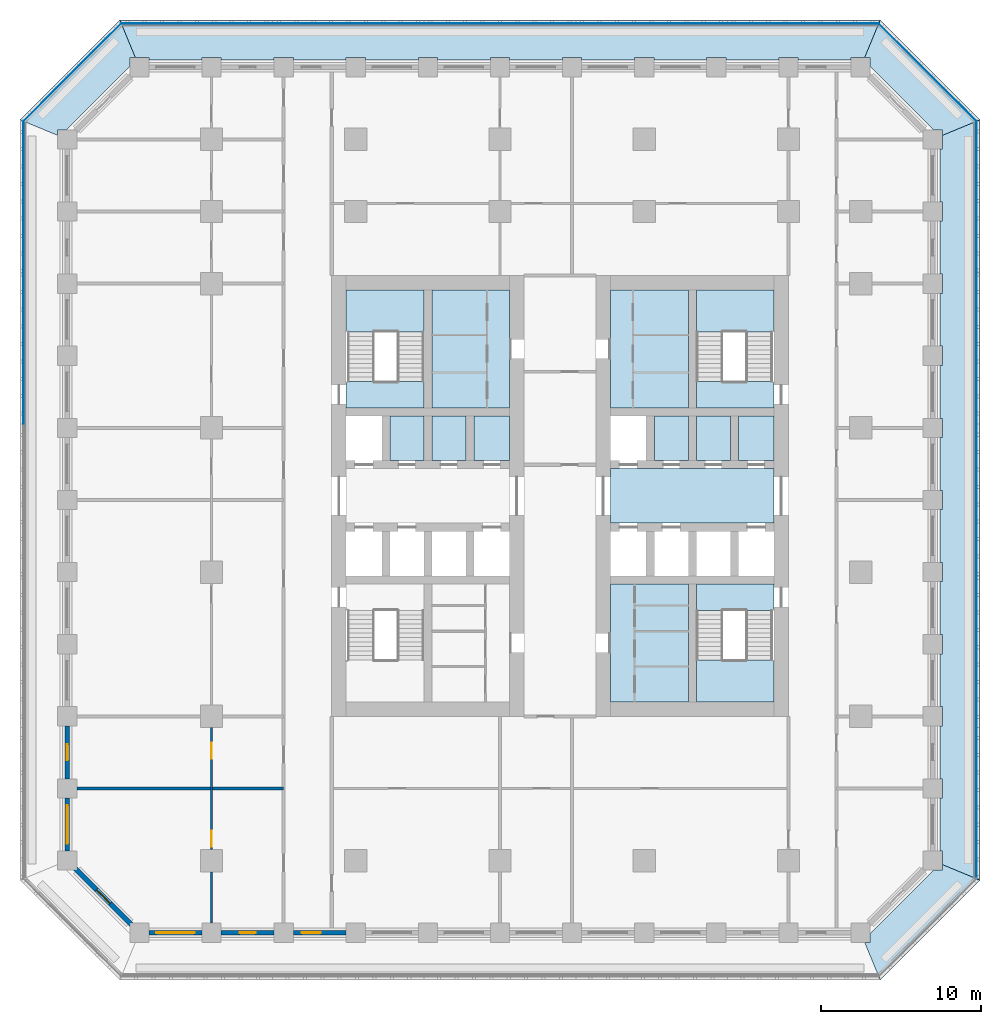
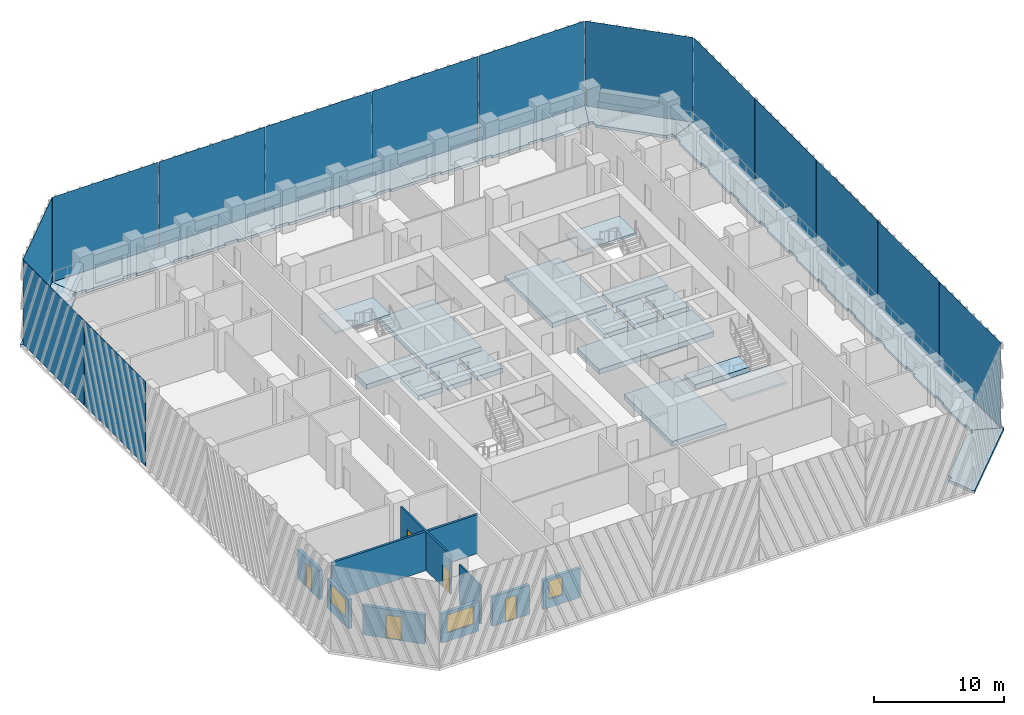
# One storey, part 2 of 19: 21 slabs, 14 plates, 9 walls, 5 doors, 3 windows, 8 openings, 3 elements without a shape of their own.
"""IFC4 building model written with IfcOpenShell, lengths in metres."""

from ifc_helpers import new_model, si_unit, direction, frame, frame_2d, origin, origin_2d, place, context, subcontext, project, spatial, polyline, rectangle, outline, extrude, material, layer, layer_set, type_object, element, fill, aggregate, save


model = new_model("IFC4")

# Units and contexts
model_context = context("Model", 3, precision=1e-05, world=origin(), true_north=direction((0.0, 1.0)))
body_context = subcontext(model_context, "Body", "Model", "MODEL_VIEW")
ifc_project = project(units=[si_unit("LENGTHUNIT", "METRE"), si_unit("AREAUNIT", "SQUARE_METRE"), si_unit("VOLUMEUNIT", "CUBIC_METRE"), si_unit("PLANEANGLEUNIT", "RADIAN"), si_unit("MASSUNIT", "GRAM", prefix="KILO")], contexts=[model_context])

# Site, building, storey
site_placement = place(None, origin())
site = spatial("IfcSite", under=ifc_project, at=site_placement, CompositionType="ELEMENT")
building_placement = place(site_placement, origin())
building = spatial("IfcBuilding", under=site, at=building_placement, Name="Corbel Stack Research Tower", CompositionType="ELEMENT")
storey_placement = place(building_placement, frame((0.0, 0.0, 133.10009765625)))
storey = spatial("IfcBuildingStorey", under=building, at=storey_placement, Name="L30", CompositionType="ELEMENT", Elevation=133.10009765625)

# Plates
ifc_material_1 = material(Name="Fritted glass", Category="glass")
ifc_layer_1 = layer(ifc_material_1, 0.02490234375)
ifc_layer_set_1 = layer_set([ifc_layer_1], Name="Fritted glass")
plate_type = type_object("IfcPlateType", Name="Fritted glass panel 25", PredefinedType="SHEET", material=ifc_layer_set_1)
for number, where, z_axis, x_axis, name in (
    (1, (29.737548828125, -14.411376953125, 0.0), (0.0, 0.0, 1.0), (0.0, 1.0, 0.0), "Fritted glass L30 E1"),
    (2, (29.737548828125, -4.95556640625, 0.0), (0.0, 0.0, 1.0), (0.0, 1.0, 0.0), "Fritted glass L30 E2"),
    (3, (29.737548828125, 4.5, 0.0), (0.0, 0.0, 1.0), (0.0, 1.0, 0.0), "Fritted glass L30 E3"),
    (4, (29.737548828125, 13.95556640625, 0.0), (0.0, 0.0, 1.0), (0.0, 1.0, 0.0), "Fritted glass L30 E4"),
    (5, (29.737548828125, 23.411376953125, 0.0), (0.0, 0.0, 1.0), (0.0, 1.0, 0.0), "Fritted glass L30 E5"),
):
    element("IfcPlate", number, at=place(storey_placement, frame(where, z_axis=z_axis, x_axis=x_axis)), inside=storey, type_object=plate_type, Name=name, PredefinedType="SHEET", context=body_context, shape_type="SweptSolid", body=[
        extrude(rectangle(XDim=9.3955078125, YDim=0.02490234375, at=origin_2d()), origin(), (0.0, 0.0, 1.0), 7.949951171875),
    ])
plate_1_placement = place(storey_placement, frame((26.685791015625, 31.185791015625, 0.0), z_axis=(0.0, 0.0, 1.0), x_axis=(-0.707106781187, 0.707106781187, 0.0)))
element("IfcPlate", 6, at=plate_1_placement, inside=storey, type_object=plate_type, Name="Fritted glass L30 NE1", PredefinedType="SHEET", context=body_context, shape_type="SweptSolid", body=[
    extrude(rectangle(XDim=8.58203125, YDim=0.02490234375, at=origin_2d()), origin(), (0.0, 0.0, 1.0), 7.949951171875),
])
for number, where, z_axis, x_axis, name in (
    (7, (18.911376953125, 34.237548828125, 0.0), (0.0, 0.0, 1.0), (-1.0, 0.0, 0.0), "Fritted glass L30 N1"),
    (8, (9.45556640625, 34.237548828125, 0.0), (0.0, 0.0, 1.0), (-1.0, 0.0, 0.0), "Fritted glass L30 N2"),
    (9, (0.0, 34.237548828125, 0.0), (0.0, 0.0, 1.0), (-1.0, 0.0, 0.0), "Fritted glass L30 N3"),
    (10, (-9.45556640625, 34.237548828125, 0.0), (0.0, 0.0, 1.0), (-1.0, 0.0, 0.0), "Fritted glass L30 N4"),
    (11, (-18.911376953125, 34.237548828125, 0.0), (0.0, 0.0, 1.0), (-1.0, 0.0, 0.0), "Fritted glass L30 N5"),
):
    element("IfcPlate", number, at=place(storey_placement, frame(where, z_axis=z_axis, x_axis=x_axis)), inside=storey, type_object=plate_type, Name=name, PredefinedType="SHEET", context=body_context, shape_type="SweptSolid", body=[
        extrude(rectangle(XDim=9.3955078125, YDim=0.02490234375, at=origin_2d()), origin(), (0.0, 0.0, 1.0), 7.949951171875),
    ])
plate_2_placement = place(storey_placement, frame((-26.685791015625, 31.185791015625, 0.0), z_axis=(0.0, 0.0, 1.0), x_axis=(-0.707106781187, -0.707106781187, 0.0)))
element("IfcPlate", 12, at=plate_2_placement, inside=storey, type_object=plate_type, Name="Fritted glass L30 NW1", PredefinedType="SHEET", context=body_context, shape_type="SweptSolid", body=[
    extrude(rectangle(XDim=8.58203125, YDim=0.02490234375, at=origin_2d()), origin(), (0.0, 0.0, 1.0), 7.949951171875),
])
for number, where, z_axis, x_axis, name in (
    (13, (-29.737548828125, 23.411376953125, 0.0), (0.0, 0.0, 1.0), (0.0, -1.0, 0.0), "Fritted glass L30 W1"),
    (14, (-29.737548828125, 13.95556640625, 0.0), (0.0, 0.0, 1.0), (0.0, -1.0, 0.0), "Fritted glass L30 W2"),
):
    element("IfcPlate", number, at=place(storey_placement, frame(where, z_axis=z_axis, x_axis=x_axis)), inside=storey, type_object=plate_type, Name=name, PredefinedType="SHEET", context=body_context, shape_type="SweptSolid", body=[
        extrude(rectangle(XDim=9.3955078125, YDim=0.02490234375, at=origin_2d()), origin(), (0.0, 0.0, 1.0), 7.949951171875),
    ])

# Slabs
ifc_material_2 = material(Name="Concrete C45/55", Category="concrete")
ifc_layer_2 = layer(ifc_material_2, 0.25)
ifc_layer_set_2 = layer_set([ifc_layer_2], Name="Concrete C45/55")
slab_type_1 = type_object("IfcSlabType", Name="PT balcony slab 250 C45/55", PredefinedType="FLOOR", material=ifc_layer_set_2)
slab_1_placement = place(storey_placement, frame((0.0, 0.0, -0.25)))
element("IfcSlab", 15, at=slab_1_placement, inside=storey, type_object=slab_type_1, Name="Loggia slab L30 SE", PredefinedType="FLOOR", context=body_context, shape_type="SweptSolid", body=[
    extrude(outline(polyline([(27.60009765625, -18.24853515625), (27.60009765625, -18.60009765625), (27.036376953125, -18.60009765625), (23.10009765625, -22.536376953125), (23.10009765625, -23.10009765625), (22.74853515625, -23.10009765625), (23.721923828125, -25.449951171875), (29.949951171875, -19.221923828125), (27.60009765625, -18.24853515625)])), origin(), (0.0, 0.0, 1.0), 0.25),
])
slab_2_placement = place(storey_placement, frame((0.0, 0.0, -0.25)))
element("IfcSlab", 16, at=slab_2_placement, inside=storey, type_object=slab_type_1, Name="Loggia slab L30 E", PredefinedType="FLOOR", context=body_context, shape_type="SweptSolid", body=[
    extrude(outline(polyline([(27.60009765625, 27.24853515625), (27.60009765625, 26.39990234375), (27.449951171875, 26.39990234375), (27.449951171875, 23.10009765625), (27.60009765625, 23.10009765625), (27.60009765625, 21.89990234375), (27.449951171875, 21.89990234375), (27.449951171875, 18.60009765625), (27.60009765625, 18.60009765625), (27.60009765625, 17.39990234375), (27.449951171875, 17.39990234375), (27.449951171875, 14.10009765625), (27.60009765625, 14.10009765625), (27.60009765625, 12.89990234375), (27.449951171875, 12.89990234375), (27.449951171875, 9.60009765625), (27.60009765625, 9.60009765625), (27.60009765625, 8.39990234375), (27.449951171875, 8.39990234375), (27.449951171875, 5.10009765625), (27.60009765625, 5.10009765625), (27.60009765625, 3.89990234375), (27.449951171875, 3.89990234375), (27.449951171875, 0.60009765625), (27.60009765625, 0.60009765625), (27.60009765625, -0.60009765625), (27.449951171875, -0.60009765625), (27.449951171875, -3.89990234375), (27.60009765625, -3.89990234375), (27.60009765625, -5.10009765625), (27.449951171875, -5.10009765625), (27.449951171875, -8.39990234375), (27.60009765625, -8.39990234375), (27.60009765625, -9.60009765625), (27.449951171875, -9.60009765625), (27.449951171875, -12.89990234375), (27.60009765625, -12.89990234375), (27.60009765625, -14.10009765625), (27.449951171875, -14.10009765625), (27.449951171875, -17.39990234375), (27.60009765625, -17.39990234375), (27.60009765625, -18.24853515625), (29.949951171875, -19.221923828125), (29.949951171875, 28.221923828125), (27.60009765625, 27.24853515625)])), origin(), (0.0, 0.0, 1.0), 0.25),
])
slab_3_placement = place(storey_placement, frame((0.0, 0.0, -0.25)))
element("IfcSlab", 17, at=slab_3_placement, inside=storey, type_object=slab_type_1, Name="Loggia slab L30 NE", PredefinedType="FLOOR", context=body_context, shape_type="SweptSolid", body=[
    extrude(outline(polyline([(22.74853515625, 32.10009765625), (23.10009765625, 32.10009765625), (23.10009765625, 31.536376953125), (27.036376953125, 27.60009765625), (27.60009765625, 27.60009765625), (27.60009765625, 27.24853515625), (29.949951171875, 28.221923828125), (23.721923828125, 34.449951171875), (22.74853515625, 32.10009765625)])), origin(), (0.0, 0.0, 1.0), 0.25),
])
slab_4_placement = place(storey_placement, frame((0.0, 0.0, -0.25)))
element("IfcSlab", 18, at=slab_4_placement, inside=storey, type_object=slab_type_1, Name="Loggia slab L30 N", PredefinedType="FLOOR", context=body_context, shape_type="SweptSolid", body=[
    extrude(outline(polyline([(-22.74853515625, 32.10009765625), (-21.89990234375, 32.10009765625), (-21.89990234375, 31.949951171875), (-18.60009765625, 31.949951171875), (-18.60009765625, 32.10009765625), (-17.39990234375, 32.10009765625), (-17.39990234375, 31.949951171875), (-14.10009765625, 31.949951171875), (-14.10009765625, 32.10009765625), (-12.89990234375, 32.10009765625), (-12.89990234375, 31.949951171875), (-9.60009765625, 31.949951171875), (-9.60009765625, 32.10009765625), (-8.39990234375, 32.10009765625), (-8.39990234375, 31.949951171875), (-5.10009765625, 31.949951171875), (-5.10009765625, 32.10009765625), (-3.89990234375, 32.10009765625), (-3.89990234375, 31.949951171875), (-0.60009765625, 31.949951171875), (-0.60009765625, 32.10009765625), (0.60009765625, 32.10009765625), (0.60009765625, 31.949951171875), (3.89990234375, 31.949951171875), (3.89990234375, 32.10009765625), (5.10009765625, 32.10009765625), (5.10009765625, 31.949951171875), (8.39990234375, 31.949951171875), (8.39990234375, 32.10009765625), (9.60009765625, 32.10009765625), (9.60009765625, 31.949951171875), (12.89990234375, 31.949951171875), (12.89990234375, 32.10009765625), (14.10009765625, 32.10009765625), (14.10009765625, 31.949951171875), (17.39990234375, 31.949951171875), (17.39990234375, 32.10009765625), (18.60009765625, 32.10009765625), (18.60009765625, 31.949951171875), (21.89990234375, 31.949951171875), (21.89990234375, 32.10009765625), (22.74853515625, 32.10009765625), (23.721923828125, 34.449951171875), (-23.721923828125, 34.449951171875), (-22.74853515625, 32.10009765625)])), origin(), (0.0, 0.0, 1.0), 0.25),
])
slab_5_placement = place(storey_placement, frame((0.0, 0.0, -0.25)))
element("IfcSlab", 19, at=slab_5_placement, inside=storey, type_object=slab_type_1, Name="Loggia slab L30 NW", PredefinedType="FLOOR", context=body_context, shape_type="SweptSolid", body=[
    extrude(outline(polyline([(-27.60009765625, 27.24853515625), (-27.60009765625, 27.60009765625), (-27.036376953125, 27.60009765625), (-23.10009765625, 31.536376953125), (-23.10009765625, 32.10009765625), (-22.74853515625, 32.10009765625), (-23.721923828125, 34.449951171875), (-29.949951171875, 28.221923828125), (-27.60009765625, 27.24853515625)])), origin(), (0.0, 0.0, 1.0), 0.25),
])
ifc_material_3 = material(Name="Concrete C45/55", Category="concrete")
ifc_layer_3 = layer(ifc_material_3, 0.449951171875)
ifc_layer_set_3 = layer_set([ifc_layer_3], Name="Concrete C45/55")
slab_type_2 = type_object("IfcSlabType", Name="PT-450", PredefinedType="FLOOR", material=ifc_layer_set_3)
slab_6_placement = place(storey_placement, frame((0.0, 0.0, -0.4501953125)))
element("IfcSlab", 20, at=slab_6_placement, inside=storey, type_object=slab_type_2, Name="West core floor L30", PredefinedType="FLOOR", context=body_context, shape_type="SweptSolid", body=[
    extrude(outline(polyline([(-6.875, 6.949951171875), (-4.75, 6.949951171875), (-4.75, 9.75), (-6.875, 9.75), (-6.875, 6.949951171875)])), origin(), (0.0, 0.0, 1.0), 0.4501953125),
])
slab_7_placement = place(storey_placement, frame((0.0, 0.0, -0.4501953125)))
element("IfcSlab", 21, at=slab_7_placement, inside=storey, type_object=slab_type_2, Name="West core floor L30", PredefinedType="FLOOR", context=body_context, shape_type="SweptSolid", body=[
    extrude(outline(polyline([(-2.125, 6.949951171875), (-2.125, 9.75), (-4.25, 9.75), (-4.25, 6.949951171875), (-2.125, 6.949951171875)])), origin(), (0.0, 0.0, 1.0), 0.4501953125),
])
slab_8_placement = place(storey_placement, frame((0.0, 0.0, -0.4501953125)))
element("IfcSlab", 22, at=slab_8_placement, inside=storey, type_object=slab_type_2, Name="West core floor L30", PredefinedType="FLOOR", context=body_context, shape_type="SweptSolid", body=[
    extrude(outline(polyline([(0.60009765625, 17.60009765625), (-4.25, 17.60009765625), (-4.25, 10.25), (0.60009765625, 10.25), (0.60009765625, 17.60009765625)])), origin(), (0.0, 0.0, 1.0), 0.4501953125),
])
slab_9_placement = place(storey_placement, frame((0.0, 0.0, -0.4501953125)))
element("IfcSlab", 23, at=slab_9_placement, inside=storey, type_object=slab_type_2, Name="West core floor L30", PredefinedType="FLOOR", context=body_context, shape_type="SweptSolid", body=[
    extrude(outline(polyline([(0.60009765625, 9.75), (-1.625, 9.75), (-1.625, 6.949951171875), (0.60009765625, 6.949951171875), (0.60009765625, 9.75)])), origin(), (0.0, 0.0, 1.0), 0.4501953125),
])
slab_10_placement = place(storey_placement, frame((0.0, 0.0, -0.4501953125)))
element("IfcSlab", 24, at=slab_10_placement, inside=storey, type_object=slab_type_2, Name="East core floor L30", PredefinedType="FLOOR", context=body_context, shape_type="SweptSolid", body=[
    extrude(outline(polyline([(11.75, -0.75), (6.89990234375, -0.75), (6.89990234375, -8.10009765625), (11.75, -8.10009765625), (11.75, -0.75)])), origin(), (0.0, 0.0, 1.0), 0.4501953125),
])
slab_11_placement = place(storey_placement, frame((0.0, 0.0, -0.4501953125)))
element("IfcSlab", 25, at=slab_11_placement, inside=storey, type_object=slab_type_2, Name="East core floor L30", PredefinedType="FLOOR", context=body_context, shape_type="SweptSolid", body=[
    extrude(outline(polyline([(6.89990234375, 6.449951171875), (6.89990234375, 3.050048828125), (17.10009765625, 3.050048828125), (17.10009765625, 6.449951171875), (6.89990234375, 6.449951171875)])), origin(), (0.0, 0.0, 1.0), 0.4501953125),
])
slab_12_placement = place(storey_placement, frame((0.0, 0.0, -0.4501953125)))
element("IfcSlab", 26, at=slab_12_placement, inside=storey, type_object=slab_type_2, Name="East core floor L30", PredefinedType="FLOOR", context=body_context, shape_type="SweptSolid", body=[
    extrude(outline(polyline([(6.89990234375, 17.60009765625), (6.89990234375, 10.25), (11.75, 10.25), (11.75, 17.60009765625), (6.89990234375, 17.60009765625)])), origin(), (0.0, 0.0, 1.0), 0.4501953125),
])
slab_13_placement = place(storey_placement, frame((0.0, 0.0, -0.4501953125)))
element("IfcSlab", 27, at=slab_13_placement, inside=storey, type_object=slab_type_2, Name="East core floor L30", PredefinedType="FLOOR", context=body_context, shape_type="SweptSolid", body=[
    extrude(outline(polyline([(9.625, 6.949951171875), (11.75, 6.949951171875), (11.75, 9.75), (9.625, 9.75), (9.625, 6.949951171875)])), origin(), (0.0, 0.0, 1.0), 0.4501953125),
])
slab_14_placement = place(storey_placement, frame((0.0, 0.0, -0.4501953125)))
element("IfcSlab", 28, at=slab_14_placement, inside=storey, type_object=slab_type_2, Name="East core floor L30", PredefinedType="FLOOR", context=body_context, shape_type="SweptSolid", body=[
    extrude(outline(polyline([(14.375, 6.949951171875), (14.375, 9.75), (12.25, 9.75), (12.25, 6.949951171875), (14.375, 6.949951171875)])), origin(), (0.0, 0.0, 1.0), 0.4501953125),
])
slab_15_placement = place(storey_placement, frame((0.0, 0.0, -0.4501953125)))
element("IfcSlab", 29, at=slab_15_placement, inside=storey, type_object=slab_type_2, Name="East core floor L30", PredefinedType="FLOOR", context=body_context, shape_type="SweptSolid", body=[
    extrude(outline(polyline([(17.10009765625, 6.949951171875), (17.10009765625, 9.75), (14.875, 9.75), (14.875, 6.949951171875), (17.10009765625, 6.949951171875)])), origin(), (0.0, 0.0, 1.0), 0.4501953125),
])
slab_16_placement = place(storey_placement, frame((0.0, 0.0, -0.4501953125)))
element("IfcSlab", 30, at=slab_16_placement, inside=storey, type_object=slab_type_2, Name="Stair floor landing ST-W2", PredefinedType="FLOOR", context=body_context, shape_type="SweptSolid", body=[
    extrude(outline(polyline([(-9.60009765625, 10.25), (-4.75, 10.25), (-4.75, 11.89990234375), (-9.60009765625, 11.89990234375), (-9.60009765625, 10.25)])), origin(), (0.0, 0.0, 1.0), 0.4501953125),
])
slab_17_placement = place(storey_placement, frame((0.0, 0.0, -0.4501953125)))
element("IfcSlab", 31, at=slab_17_placement, inside=storey, type_object=slab_type_2, Name="Stair floor landing ST-E1", PredefinedType="FLOOR", context=body_context, shape_type="SweptSolid", body=[
    extrude(outline(polyline([(12.25, -2.39990234375), (17.10009765625, -2.39990234375), (17.10009765625, -0.75), (12.25, -0.75), (12.25, -2.39990234375)])), origin(), (0.0, 0.0, 1.0), 0.4501953125),
])
slab_18_placement = place(storey_placement, frame((0.0, 0.0, -0.4501953125)))
element("IfcSlab", 32, at=slab_18_placement, inside=storey, type_object=slab_type_2, Name="Stair floor landing ST-E2", PredefinedType="FLOOR", context=body_context, shape_type="SweptSolid", body=[
    extrude(outline(polyline([(12.25, 10.25), (17.10009765625, 10.25), (17.10009765625, 11.89990234375), (12.25, 11.89990234375), (12.25, 10.25)])), origin(), (0.0, 0.0, 1.0), 0.4501953125),
])

# Stair, slab
ifc_material_4 = material(Name="Concrete C40/50", Category="concrete")
stair_type = type_object("IfcStairType", Name="Exit stair 24 risers", PredefinedType="HALF_TURN_STAIR", material=ifc_material_4)
stair_1_placement = place(storey_placement, origin())
stair_1 = element("IfcStair", 33, at=stair_1_placement, inside=storey, type_object=stair_type, Name="L30 Exit stair ST-W2", PredefinedType="HALF_TURN_STAIR")
ifc_material_5 = material(Name="Concrete C40/50", Category="concrete")
ifc_layer_4 = layer(ifc_material_5, 0.199951171875)
ifc_layer_set_4 = layer_set([ifc_layer_4], Name="Concrete C40/50")
slab_type_3 = type_object("IfcSlabType", Name="Stair landing 200 C40/50", PredefinedType="LANDING", material=ifc_layer_set_4)
slab_19_placement = place(storey_placement, frame((0.0, 0.0, 1.849853515625)))
slab_19 = element("IfcSlab", 34, at=slab_19_placement, type_object=slab_type_3, Name="ST-W2 landing 1", PredefinedType="LANDING", context=body_context, shape_type="SweptSolid", body=[
    extrude(outline(polyline([(-9.60009765625, 14.97998046875), (-9.60009765625, 17.60009765625), (-4.75, 17.60009765625), (-4.75, 14.97998046875), (-9.60009765625, 14.97998046875)])), origin(), (0.0, 0.0, 1.0), 0.199951171875),
])
aggregate(stair_1, [slab_19])

stair_2_placement = place(storey_placement, origin())
stair_2 = element("IfcStair", 35, at=stair_2_placement, inside=storey, type_object=stair_type, Name="L30 Exit stair ST-E1", PredefinedType="HALF_TURN_STAIR")
slab_20_placement = place(storey_placement, frame((0.0, 0.0, 1.849853515625)))
slab_20 = element("IfcSlab", 36, at=slab_20_placement, type_object=slab_type_3, Name="ST-E1 landing 1", PredefinedType="LANDING", context=body_context, shape_type="SweptSolid", body=[
    extrude(outline(polyline([(12.25, -8.10009765625), (12.25, -5.47998046875), (17.10009765625, -5.47998046875), (17.10009765625, -8.10009765625), (12.25, -8.10009765625)])), origin(), (0.0, 0.0, 1.0), 0.199951171875),
])
aggregate(stair_2, [slab_20])

stair_3_placement = place(storey_placement, origin())
stair_3 = element("IfcStair", 37, at=stair_3_placement, inside=storey, type_object=stair_type, Name="L30 Exit stair ST-E2", PredefinedType="HALF_TURN_STAIR")
slab_21_placement = place(storey_placement, frame((0.0, 0.0, 1.849853515625)))
slab_21 = element("IfcSlab", 38, at=slab_21_placement, type_object=slab_type_3, Name="ST-E2 landing 1", PredefinedType="LANDING", context=body_context, shape_type="SweptSolid", body=[
    extrude(outline(polyline([(12.25, 14.97998046875), (12.25, 17.60009765625), (17.10009765625, 17.60009765625), (17.10009765625, 14.97998046875), (12.25, 14.97998046875)])), origin(), (0.0, 0.0, 1.0), 0.199951171875),
])
aggregate(stair_3, [slab_21])

# Walls
ifc_material_6 = material(Name="Fire-rated gypsum board partition on steel studs", Category="steel")
ifc_layer_5 = layer(ifc_material_6, 0.199951171875)
ifc_layer_set_5 = layer_set([ifc_layer_5], Name="Fire-rated gypsum board partition on steel studs")
wall_type_1 = type_object("IfcWallType", Name="Fire-rated partition 200 EI 60", PredefinedType="PARTITIONING", material=ifc_layer_set_5)
wall_1_placement = place(storey_placement, frame((-26.39990234375, -13.5, 0.0), z_axis=(0.0, 0.0, 1.0), x_axis=(1.0, 0.0, 0.0)))
element("IfcWall", 39, at=wall_1_placement, inside=storey, type_object=wall_type_1, Name="Partition L30-026", PredefinedType="PARTITIONING", context=body_context, shape_type="SweptSolid", body=[
    extrude(rectangle(XDim=12.89990234375, YDim=0.199951171875, at=frame_2d((6.449951171875, 0.0))), origin(), (0.0, 0.0, 1.0), 3.64990234375),
])
ifc_material_7 = material(Name="Gypsum board partition on steel studs", Category="steel")
ifc_layer_6 = layer(ifc_material_7, 0.14990234375)
ifc_layer_set_6 = layer_set([ifc_layer_6], Name="Gypsum board partition on steel studs")
wall_type_2 = type_object("IfcWallType", Name="Partition 150", PredefinedType="PARTITIONING", material=ifc_layer_set_6)
wall_2_placement = place(storey_placement, frame((-18.0, -21.89990234375, 0.0), z_axis=(0.0, 0.0, 1.0), x_axis=(0.0, 1.0, 0.0)))
element("IfcWall", 40, at=wall_2_placement, inside=storey, type_object=wall_type_2, Name="Partition L30-001", PredefinedType="PARTITIONING", context=body_context, shape_type="SweptSolid", body=[
    extrude(rectangle(XDim=3.199951171875, YDim=0.14990234375, at=frame_2d((1.60009765625, 0.0))), origin(), (0.0, 0.0, 1.0), 3.64990234375),
])

# Wall, openings, doors
wall_3_placement = place(storey_placement, frame((-18.0, -17.300048828125, 0.0), z_axis=(0.0, 0.0, 1.0), x_axis=(0.0, 1.0, 0.0)))
wall_3 = element("IfcWall", 41, at=wall_3_placement, inside=storey, type_object=wall_type_2, Name="Partition L30-002", PredefinedType="PARTITIONING", context=body_context, shape_type="SweptSolid", body=[
    extrude(rectangle(XDim=7.60009765625, YDim=0.14990234375, at=frame_2d((3.800048828125, 0.0))), origin(), (0.0, 0.0, 1.0), 3.64990234375),
])
opening_1_placement = place(wall_3_placement, frame((0.14990234375, 0.0, 0.0)))
opening_1 = element("IfcOpeningElement", 42, at=opening_1_placement, cuts=wall_3, Name="Opening B4V1-001", PredefinedType="OPENING", context=body_context, shape_type="SweptSolid", body=[
    extrude(rectangle(XDim=1.0, YDim=2.10009765625, at=frame_2d((0.5, 1.050048828125))), frame((0.0, 0.0849609375, 0.0), z_axis=(0.0, -1.0, 0.0), x_axis=(1.0, 0.0, 0.0)), (0.0, 0.0, 1.0), 0.169921875),
])
opening_2_placement = place(wall_3_placement, frame((5.64990234375, 0.0, 0.0)))
opening_2 = element("IfcOpeningElement", 43, at=opening_2_placement, cuts=wall_3, Name="Opening B4V1-002", PredefinedType="OPENING", context=body_context, shape_type="SweptSolid", body=[
    extrude(rectangle(XDim=1.0, YDim=2.10009765625, at=frame_2d((0.5, 1.050048828125))), frame((0.0, 0.0849609375, 0.0), z_axis=(0.0, -1.0, 0.0), x_axis=(1.0, 0.0, 0.0)), (0.0, 0.0, 1.0), 0.169921875),
])
ifc_material_8 = material(Name="Painted timber door", Category="wood")
door_type_1 = type_object("IfcDoorType", Name="Single door 1000 x 2100", OperationType="NOTDEFINED", PredefinedType="DOOR", material=ifc_material_8)
door_1_placement = place(opening_1_placement, origin())
door_1 = element("IfcDoor", 44, at=door_1_placement, inside=storey, type_object=door_type_1, Name="Door B4V1-001", OperationType="SINGLE_SWING_LEFT", OverallHeight=2.10009765625, OverallWidth=1.0, PredefinedType="DOOR", context=body_context, shape_type="SweptSolid", body=[
    extrude(rectangle(XDim=1.0, YDim=2.10009765625, at=frame_2d((0.5, 1.050048828125))), frame((0.0, 0.02490234375, 0.0), z_axis=(0.0, -1.0, 0.0), x_axis=(1.0, 0.0, 0.0)), (0.0, 0.0, 1.0), 0.050048828125),
])
fill(opening_1, door_1)
door_2_placement = place(opening_2_placement, origin())
door_2 = element("IfcDoor", 45, at=door_2_placement, inside=storey, type_object=door_type_1, Name="Door B4V1-002", OperationType="SINGLE_SWING_RIGHT", OverallHeight=2.10009765625, OverallWidth=1.0, PredefinedType="DOOR", context=body_context, shape_type="SweptSolid", body=[
    extrude(rectangle(XDim=1.0, YDim=2.10009765625, at=frame_2d((0.5, 1.050048828125))), frame((0.0, 0.02490234375, 0.0), z_axis=(0.0, -1.0, 0.0), x_axis=(1.0, 0.0, 0.0)), (0.0, 0.0, 1.0), 0.050048828125),
])
fill(opening_2, door_2)

# Wall, opening, window
ifc_material_9 = material(Name="Concrete C45/55", Category="concrete")
ifc_layer_7 = layer(ifc_material_9, 0.300048828125)
ifc_layer_set_7 = layer_set([ifc_layer_7], Name="Concrete C45/55")
wall_type_3 = type_object("IfcWallType", Name="Terracotta-faced concrete wall 300", PredefinedType="SOLIDWALL", material=ifc_layer_set_7)
wall_4_placement = place(storey_placement, frame((-18.60009765625, -22.5, 0.0), z_axis=(0.0, 0.0, 1.0), x_axis=(-1.0, 0.0, 0.0)))
wall_4 = element("IfcWall", 46, at=wall_4_placement, inside=storey, type_object=wall_type_3, Name="Facade wall L30 S01", PredefinedType="SOLIDWALL", context=body_context, shape_type="SweptSolid", body=[
    extrude(rectangle(XDim=3.2998046875, YDim=0.300048828125, at=frame_2d((1.64990234375, 0.0))), origin(), (0.0, 0.0, 1.0), 2.75),
])
opening_3_placement = place(wall_4_placement, frame((0.449951171875, 0.0, 0.800048828125)))
opening_3 = element("IfcOpeningElement", 47, at=opening_3_placement, cuts=wall_4, Name="Opening W1", PredefinedType="OPENING", context=body_context, shape_type="SweptSolid", body=[
    extrude(rectangle(XDim=2.39990234375, YDim=1.699951171875, at=frame_2d((1.199951171875, 0.85009765625))), frame((0.0, 0.159912109375, 0.0), z_axis=(0.0, -1.0, 0.0), x_axis=(1.0, 0.0, 0.0)), (0.0, 0.0, 1.0), 0.320068359375),
])
ifc_material_10 = material(Name="Aluminium frame, clear double glazing", Category="aluminium")
window_type_1 = type_object("IfcWindowType", Name="Window W1 2400 x 1700", PartitioningType="SINGLE_PANEL", PredefinedType="WINDOW", material=ifc_material_10)
window_1_placement = place(opening_3_placement, origin())
window_1 = element("IfcWindow", 48, at=window_1_placement, inside=storey, type_object=window_type_1, Name="Window W1 L30 S01", OverallHeight=1.699951171875, OverallWidth=2.39990234375, PartitioningType="SINGLE_PANEL", PredefinedType="WINDOW", context=body_context, shape_type="SweptSolid", body=[
    extrude(rectangle(XDim=2.39990234375, YDim=1.699951171875, at=frame_2d((1.199951171875, 0.85009765625))), frame((0.0, 0.030029296875, 0.0), z_axis=(0.0, -1.0, 0.0), x_axis=(1.0, 0.0, 0.0)), (0.0, 0.0, 1.0), 0.06005859375),
])
fill(opening_3, window_1)

# Wall, opening, door
wall_5_placement = place(storey_placement, frame((-14.10009765625, -22.5, 0.0), z_axis=(0.0, 0.0, 1.0), x_axis=(-1.0, 0.0, 0.0)))
wall_5 = element("IfcWall", 49, at=wall_5_placement, inside=storey, type_object=wall_type_3, Name="Facade wall L30 S02", PredefinedType="SOLIDWALL", context=body_context, shape_type="SweptSolid", body=[
    extrude(rectangle(XDim=3.2998046875, YDim=0.300048828125, at=frame_2d((1.64990234375, 0.0))), origin(), (0.0, 0.0, 1.0), 2.75),
])
opening_4_placement = place(wall_5_placement, frame((1.14990234375, 0.0, 0.0)))
opening_4 = element("IfcOpeningElement", 50, at=opening_4_placement, cuts=wall_5, Name="Opening L30-B01", PredefinedType="OPENING", context=body_context, shape_type="SweptSolid", body=[
    extrude(rectangle(XDim=1.0, YDim=2.199951171875, at=frame_2d((0.5, 1.10009765625))), frame((0.0, 0.159912109375, 0.0), z_axis=(0.0, -1.0, 0.0), x_axis=(1.0, 0.0, 0.0)), (0.0, 0.0, 1.0), 0.320068359375),
])
ifc_material_11 = material(Name="Aluminium frame, clear double glazing", Category="aluminium")
door_type_2 = type_object("IfcDoorType", Name="Balcony door BD1 1000 x 2200", OperationType="NOTDEFINED", PredefinedType="DOOR", material=ifc_material_11)
door_3_placement = place(opening_4_placement, origin())
door_3 = element("IfcDoor", 51, at=door_3_placement, inside=storey, type_object=door_type_2, Name="Balcony door L30-B01", OperationType="SINGLE_SWING_RIGHT", OverallHeight=2.199951171875, OverallWidth=1.0, PredefinedType="DOOR", context=body_context, shape_type="SweptSolid", body=[
    extrude(rectangle(XDim=1.0, YDim=2.199951171875, at=frame_2d((0.5, 1.10009765625))), frame((0.0, 0.02490234375, 0.0), z_axis=(0.0, -1.0, 0.0), x_axis=(1.0, 0.0, 0.0)), (0.0, 0.0, 1.0), 0.050048828125),
])
fill(opening_4, door_3)

# Wall, opening, window
wall_6_placement = place(storey_placement, frame((-9.60009765625, -22.5, 0.0), z_axis=(0.0, 0.0, 1.0), x_axis=(-1.0, 0.0, 0.0)))
wall_6 = element("IfcWall", 52, at=wall_6_placement, inside=storey, type_object=wall_type_3, Name="Facade wall L30 S03", PredefinedType="SOLIDWALL", context=body_context, shape_type="SweptSolid", body=[
    extrude(rectangle(XDim=3.2998046875, YDim=0.300048828125, at=frame_2d((1.64990234375, 0.0))), origin(), (0.0, 0.0, 1.0), 2.75),
])
opening_5_placement = place(wall_6_placement, frame((1.574951171875, 0.0, 0.800048828125)))
opening_5 = element("IfcOpeningElement", 53, at=opening_5_placement, cuts=wall_6, Name="Opening W2", PredefinedType="OPENING", context=body_context, shape_type="SweptSolid", body=[
    extrude(rectangle(XDim=1.199951171875, YDim=1.699951171875, at=frame_2d((0.60009765625, 0.85009765625))), frame((0.0, 0.159912109375, 0.0), z_axis=(0.0, -1.0, 0.0), x_axis=(1.0, 0.0, 0.0)), (0.0, 0.0, 1.0), 0.320068359375),
])
ifc_material_12 = material(Name="Aluminium frame, clear double glazing", Category="aluminium")
window_type_2 = type_object("IfcWindowType", Name="Window W2 1200 x 1700", PartitioningType="SINGLE_PANEL", PredefinedType="WINDOW", material=ifc_material_12)
window_2_placement = place(opening_5_placement, origin())
window_2 = element("IfcWindow", 54, at=window_2_placement, inside=storey, type_object=window_type_2, Name="Window W2 L30 S03", OverallHeight=1.699951171875, OverallWidth=1.199951171875, PartitioningType="SINGLE_PANEL", PredefinedType="WINDOW", context=body_context, shape_type="SweptSolid", body=[
    extrude(rectangle(XDim=1.199951171875, YDim=1.699951171875, at=frame_2d((0.60009765625, 0.85009765625))), frame((0.0, 0.030029296875, 0.0), z_axis=(0.0, -1.0, 0.0), x_axis=(1.0, 0.0, 0.0)), (0.0, 0.0, 1.0), 0.06005859375),
])
fill(opening_5, window_2)

# Wall, opening, door
wall_7_placement = place(storey_placement, frame((-27.0, -12.89990234375, 0.0), z_axis=(0.0, 0.0, 1.0), x_axis=(0.0, 1.0, 0.0)))
wall_7 = element("IfcWall", 55, at=wall_7_placement, inside=storey, type_object=wall_type_3, Name="Facade wall L30 W09", PredefinedType="SOLIDWALL", context=body_context, shape_type="SweptSolid", body=[
    extrude(rectangle(XDim=3.2998046875, YDim=0.300048828125, at=frame_2d((1.64990234375, 0.0))), origin(), (0.0, 0.0, 1.0), 2.75),
])
opening_6_placement = place(wall_7_placement, frame((1.14990234375, 0.0, 0.0)))
opening_6 = element("IfcOpeningElement", 56, at=opening_6_placement, cuts=wall_7, Name="Opening L30-B11", PredefinedType="OPENING", context=body_context, shape_type="SweptSolid", body=[
    extrude(rectangle(XDim=1.0, YDim=2.199951171875, at=frame_2d((0.5, 1.10009765625))), frame((0.0, 0.159912109375, 0.0), z_axis=(0.0, -1.0, 0.0), x_axis=(1.0, 0.0, 0.0)), (0.0, 0.0, 1.0), 0.320068359375),
])
door_4_placement = place(opening_6_placement, origin())
door_4 = element("IfcDoor", 57, at=door_4_placement, inside=storey, type_object=door_type_2, Name="Balcony door L30-B11", OperationType="SINGLE_SWING_LEFT", OverallHeight=2.199951171875, OverallWidth=1.0, PredefinedType="DOOR", context=body_context, shape_type="SweptSolid", body=[
    extrude(rectangle(XDim=1.0, YDim=2.199951171875, at=frame_2d((0.5, 1.10009765625))), frame((0.0, 0.02490234375, 0.0), z_axis=(0.0, -1.0, 0.0), x_axis=(1.0, 0.0, 0.0)), (0.0, 0.0, 1.0), 0.050048828125),
])
fill(opening_6, door_4)

# Wall, opening, window
wall_8_placement = place(storey_placement, frame((-27.0, -17.39990234375, 0.0), z_axis=(0.0, 0.0, 1.0), x_axis=(0.0, 1.0, 0.0)))
wall_8 = element("IfcWall", 58, at=wall_8_placement, inside=storey, type_object=wall_type_3, Name="Facade wall L30 W10", PredefinedType="SOLIDWALL", context=body_context, shape_type="SweptSolid", body=[
    extrude(rectangle(XDim=3.2998046875, YDim=0.300048828125, at=frame_2d((1.64990234375, 0.0))), origin(), (0.0, 0.0, 1.0), 2.75),
])
opening_7_placement = place(wall_8_placement, frame((0.449951171875, 0.0, 0.800048828125)))
opening_7 = element("IfcOpeningElement", 59, at=opening_7_placement, cuts=wall_8, Name="Opening W1", PredefinedType="OPENING", context=body_context, shape_type="SweptSolid", body=[
    extrude(rectangle(XDim=2.39990234375, YDim=1.699951171875, at=frame_2d((1.199951171875, 0.85009765625))), frame((0.0, 0.159912109375, 0.0), z_axis=(0.0, -1.0, 0.0), x_axis=(1.0, 0.0, 0.0)), (0.0, 0.0, 1.0), 0.320068359375),
])
window_3_placement = place(opening_7_placement, origin())
window_3 = element("IfcWindow", 60, at=window_3_placement, inside=storey, type_object=window_type_1, Name="Window W1 L30 W10", OverallHeight=1.699951171875, OverallWidth=2.39990234375, PartitioningType="SINGLE_PANEL", PredefinedType="WINDOW", context=body_context, shape_type="SweptSolid", body=[
    extrude(rectangle(XDim=2.39990234375, YDim=1.699951171875, at=frame_2d((1.199951171875, 0.85009765625))), frame((0.0, 0.030029296875, 0.0), z_axis=(0.0, -1.0, 0.0), x_axis=(1.0, 0.0, 0.0)), (0.0, 0.0, 1.0), 0.06005859375),
])
fill(opening_7, window_3)

# Wall, opening, door
wall_9_placement = place(storey_placement, frame((-22.993896484375, -22.006103515625, 0.0), z_axis=(0.0, 0.0, 1.0), x_axis=(-0.707106781187, 0.707106781187, 0.0)))
wall_9 = element("IfcWall", 61, at=wall_9_placement, inside=storey, type_object=wall_type_3, Name="Facade wall L30 SW01", PredefinedType="SOLIDWALL", context=body_context, shape_type="SweptSolid", body=[
    extrude(rectangle(XDim=4.967041015625, YDim=0.300048828125, at=frame_2d((2.4833984375, 0.0))), origin(), (0.0, 0.0, 1.0), 2.75),
])
opening_8_placement = place(wall_9_placement, frame((1.883544921875, 0.0, 0.0)))
opening_8 = element("IfcOpeningElement", 62, at=opening_8_placement, cuts=wall_9, Name="Opening L30-B12", PredefinedType="OPENING", context=body_context, shape_type="SweptSolid", body=[
    extrude(rectangle(XDim=1.199951171875, YDim=2.199951171875, at=frame_2d((0.60009765625, 1.10009765625))), frame((0.0, 0.159912109375, 0.0), z_axis=(0.0, -1.0, 0.0), x_axis=(1.0, 0.0, 0.0)), (0.0, 0.0, 1.0), 0.320068359375),
])
ifc_material_13 = material(Name="Aluminium frame, clear double glazing", Category="aluminium")
door_type_3 = type_object("IfcDoorType", Name="Balcony door BD2 1200 x 2200", OperationType="NOTDEFINED", PredefinedType="DOOR", material=ifc_material_13)
door_5_placement = place(opening_8_placement, origin())
door_5 = element("IfcDoor", 63, at=door_5_placement, inside=storey, type_object=door_type_3, Name="Balcony door L30-B12", OperationType="SINGLE_SWING_LEFT", OverallHeight=2.199951171875, OverallWidth=1.199951171875, PredefinedType="DOOR", context=body_context, shape_type="SweptSolid", body=[
    extrude(rectangle(XDim=1.199951171875, YDim=2.199951171875, at=frame_2d((0.60009765625, 1.10009765625))), frame((0.0, 0.02490234375, 0.0), z_axis=(0.0, -1.0, 0.0), x_axis=(1.0, 0.0, 0.0)), (0.0, 0.0, 1.0), 0.050048828125),
])
fill(opening_8, door_5)

save(model, "model.ifc")
